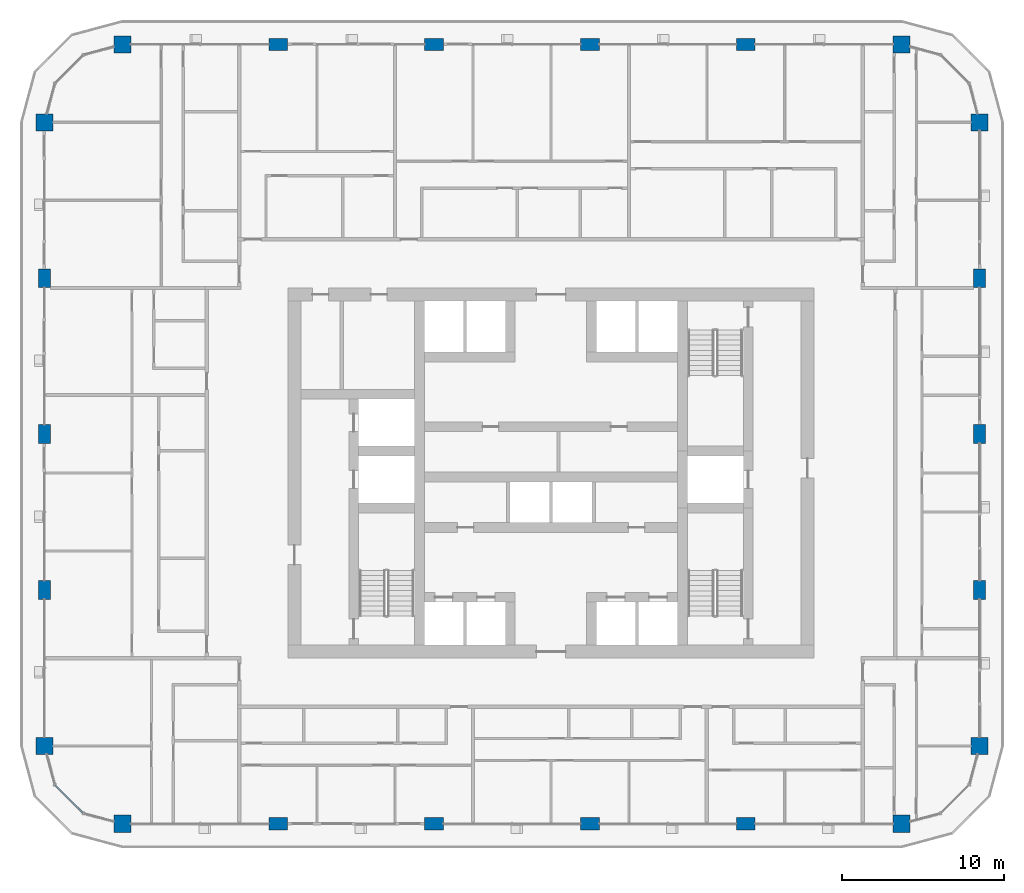
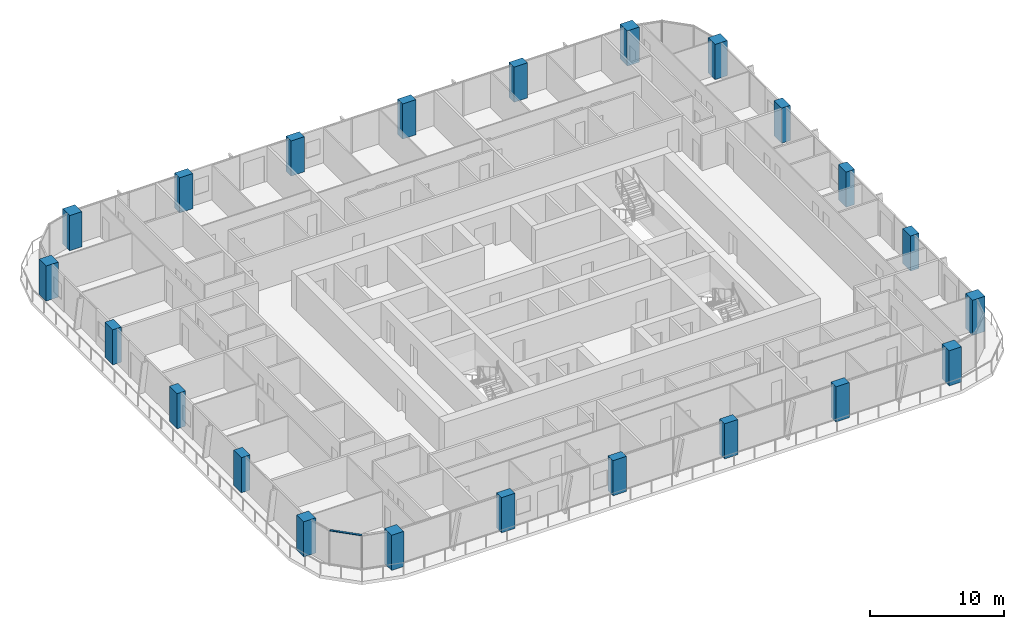
# One storey, part 1 of 22: 22 columns, 1 member, 1 element without a shape of its own.
"""IFC4 building model written with IfcOpenShell, lengths in metres."""

from ifc_helpers import new_model, si_unit, direction, frame, origin, origin_2d, place, context, subcontext, project, spatial, rectangle, extrude, material, layer, layer_set, material_profile, profile_set, type_object, element, aggregate, save


model = new_model("IFC4")

# Units and contexts
model_context = context("Model", 3, precision=1e-05, world=origin(), true_north=direction((0.0, 1.0)))
body_context = subcontext(model_context, "Body", "Model", "MODEL_VIEW")
ifc_project = project(units=[si_unit("LENGTHUNIT", "METRE"), si_unit("AREAUNIT", "SQUARE_METRE"), si_unit("VOLUMEUNIT", "CUBIC_METRE"), si_unit("PLANEANGLEUNIT", "RADIAN"), si_unit("MASSUNIT", "GRAM", prefix="KILO")], contexts=[model_context])

# Site, building, storey
site_placement = place(None, origin())
site = spatial("IfcSite", under=ifc_project, at=site_placement, CompositionType="ELEMENT")
building_placement = place(site_placement, origin())
building = spatial("IfcBuilding", under=site, at=building_placement, Name="Madar Terraces", CompositionType="ELEMENT")
storey_placement = place(building_placement, frame((0.0, 0.0, 129.60009765625)))
storey = spatial("IfcBuildingStorey", under=building, at=storey_placement, Name="L33", CompositionType="ELEMENT", Elevation=129.60009765625)

# Columns
ifc_material_1 = material(Name="Concrete C70/85", Category="concrete")
ifc_material_profile_1 = material_profile(ifc_material_1, rectangle(XDim=1.14990234375, YDim=0.75, at=origin_2d()), Name="CC3 RC 1150x750")
ifc_profile_set_1 = profile_set([ifc_material_profile_1], Name="Concrete C70/85")
column_type_1 = type_object("IfcColumnType", Name="CC3 RC 1150x750", PredefinedType="COLUMN", material=ifc_profile_set_1)
for number, where, z_axis, x_axis, name in (
    (1, (14.39990234375, 4.800048828125, 0.0), (0.0, 0.0, 1.0), (1.0, 0.0, 0.0), "Perimeter column S2"),
    (2, (24.0, 4.800048828125, 0.0), (0.0, 0.0, 1.0), (1.0, 0.0, 0.0), "Perimeter column S3"),
    (3, (33.60009765625, 4.800048828125, 0.0), (0.0, 0.0, 1.0), (1.0, 0.0, 0.0), "Perimeter column S4"),
    (4, (43.199951171875, 4.800048828125, 0.0), (0.0, 0.0, 1.0), (1.0, 0.0, 0.0), "Perimeter column S5"),
    (5, (57.60009765625, 19.199951171875, 0.0), (0.0, 0.0, 1.0), (0.0, 1.0, 0.0), "Perimeter column E2"),
    (6, (57.60009765625, 28.800048828125, 0.0), (0.0, 0.0, 1.0), (0.0, 1.0, 0.0), "Perimeter column E3"),
    (7, (57.60009765625, 38.39990234375, 0.0), (0.0, 0.0, 1.0), (0.0, 1.0, 0.0), "Perimeter column E4"),
    (8, (43.199951171875, 52.800048828125, 0.0), (0.0, 0.0, 1.0), (1.0, 0.0, 0.0), "Perimeter column N2"),
    (9, (33.60009765625, 52.800048828125, 0.0), (0.0, 0.0, 1.0), (1.0, 0.0, 0.0), "Perimeter column N3"),
    (10, (24.0, 52.800048828125, 0.0), (0.0, 0.0, 1.0), (1.0, 0.0, 0.0), "Perimeter column N4"),
    (11, (14.39990234375, 52.800048828125, 0.0), (0.0, 0.0, 1.0), (1.0, 0.0, 0.0), "Perimeter column N5"),
    (12, (0.0, 38.39990234375, 0.0), (0.0, 0.0, 1.0), (0.0, 1.0, 0.0), "Perimeter column W2"),
    (13, (0.0, 28.800048828125, 0.0), (0.0, 0.0, 1.0), (0.0, 1.0, 0.0), "Perimeter column W3"),
    (14, (0.0, 19.199951171875, 0.0), (0.0, 0.0, 1.0), (0.0, 1.0, 0.0), "Perimeter column W4"),
):
    element("IfcColumn", number, at=place(storey_placement, frame(where, z_axis=z_axis, x_axis=x_axis)), inside=storey, type_object=column_type_1, Name=name, PredefinedType="COLUMN", context=body_context, shape_type="SweptSolid", body=[
        extrude(rectangle(XDim=1.14990234375, YDim=0.75, at=origin_2d()), origin(), (0.0, 0.0, 1.0), 3.199951171875),
    ])
ifc_material_2 = material(Name="Concrete C70/85", Category="concrete")
ifc_material_profile_2 = material_profile(ifc_material_2, rectangle(XDim=1.050048828125, YDim=1.050048828125, at=origin_2d()), Name="KC3 RC 1050x1050")
ifc_profile_set_2 = profile_set([ifc_material_profile_2], Name="Concrete C70/85")
column_type_2 = type_object("IfcColumnType", Name="KC3 RC 1050x1050", PredefinedType="COLUMN", material=ifc_profile_set_2)
for number, where, z_axis, x_axis, name in (
    (15, (4.800048828125, 4.800048828125, 0.0), (0.0, 0.0, 1.0), (1.0, 0.0, 0.0), "Perimeter column S1"),
    (16, (52.800048828125, 4.800048828125, 0.0), (0.0, 0.0, 1.0), (1.0, 0.0, 0.0), "Perimeter column S6"),
    (17, (57.60009765625, 9.60009765625, 0.0), (0.0, 0.0, 1.0), (1.0, 0.0, 0.0), "Perimeter column E1"),
    (18, (57.60009765625, 48.0, 0.0), (0.0, 0.0, 1.0), (1.0, 0.0, 0.0), "Perimeter column E5"),
    (19, (52.800048828125, 52.800048828125, 0.0), (0.0, 0.0, 1.0), (1.0, 0.0, 0.0), "Perimeter column N1"),
    (20, (4.800048828125, 52.800048828125, 0.0), (0.0, 0.0, 1.0), (1.0, 0.0, 0.0), "Perimeter column N6"),
    (21, (0.0, 48.0, 0.0), (0.0, 0.0, 1.0), (1.0, 0.0, 0.0), "Perimeter column W1"),
    (22, (0.0, 9.60009765625, 0.0), (0.0, 0.0, 1.0), (1.0, 0.0, 0.0), "Perimeter column W5"),
):
    element("IfcColumn", number, at=place(storey_placement, frame(where, z_axis=z_axis, x_axis=x_axis)), inside=storey, type_object=column_type_2, Name=name, PredefinedType="COLUMN", context=body_context, shape_type="SweptSolid", body=[
        extrude(rectangle(XDim=1.050048828125, YDim=1.050048828125, at=origin_2d()), origin(), (0.0, 0.0, 1.0), 3.199951171875),
    ])

# Curtain wall, member
ifc_material_3 = material(Name="Glass, ceramic frit dark grey, with black aluminium frame", Category="aluminium")
ifc_layer = layer(ifc_material_3, 0.199951171875)
ifc_layer_set = layer_set([ifc_layer], Name="Facade curtain wall, fritted glass")
curtain_wall_type = type_object("IfcCurtainWallType", Name="Facade curtain wall, fritted glass", PredefinedType="NOTDEFINED", material=ifc_layer_set)
curtain_wall_placement = place(storey_placement, origin())
curtain_wall = element("IfcCurtainWall", 23, at=curtain_wall_placement, inside=storey, type_object=curtain_wall_type, Name="Outer skin curtain wall south-west corner", PredefinedType="NOTDEFINED")
ifc_material_4 = material(Name="Aluminium, black anodised", Category="aluminium")
ifc_material_profile_3 = material_profile(ifc_material_4, rectangle(XDim=0.1201171875, YDim=0.06005859375, at=origin_2d()), Name="Facade transom 60x120")
ifc_profile_set_3 = profile_set([ifc_material_profile_3], Name="Aluminium, black anodised")
member_type = type_object("IfcMemberType", Name="Facade transom 60x120", PredefinedType="USERDEFINED", material=ifc_profile_set_3)
member_placement = place(storey_placement, frame((0.664306640625, 7.1787109375, 3.169921875), z_axis=(0.707157125196, -0.707056433593, 0.0), x_axis=(0.707056433593, 0.707157125196, 0.0)))
member = element("IfcMember", 24, at=member_placement, type_object=member_type, Name="Transom 2", ObjectType="TRANSOM", PredefinedType="USERDEFINED", context=body_context, shape_type="SweptSolid", body=[
    extrude(rectangle(XDim=0.1201171875, YDim=0.06005859375, at=origin_2d()), origin(), (0.0, 0.0, 1.0), 2.424560546875),
])
aggregate(curtain_wall, [member])

save(model, "model.ifc")
